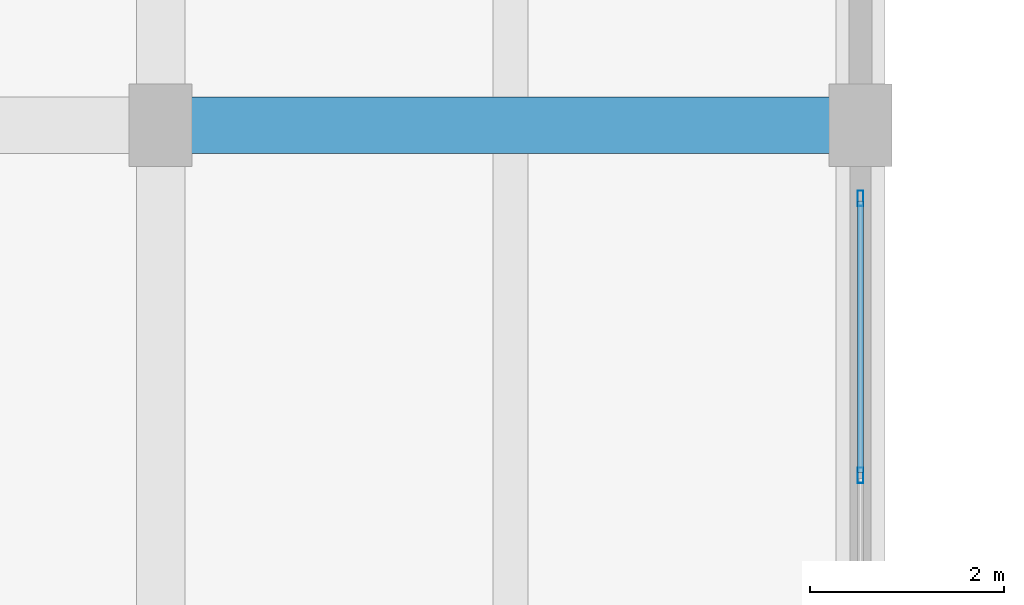
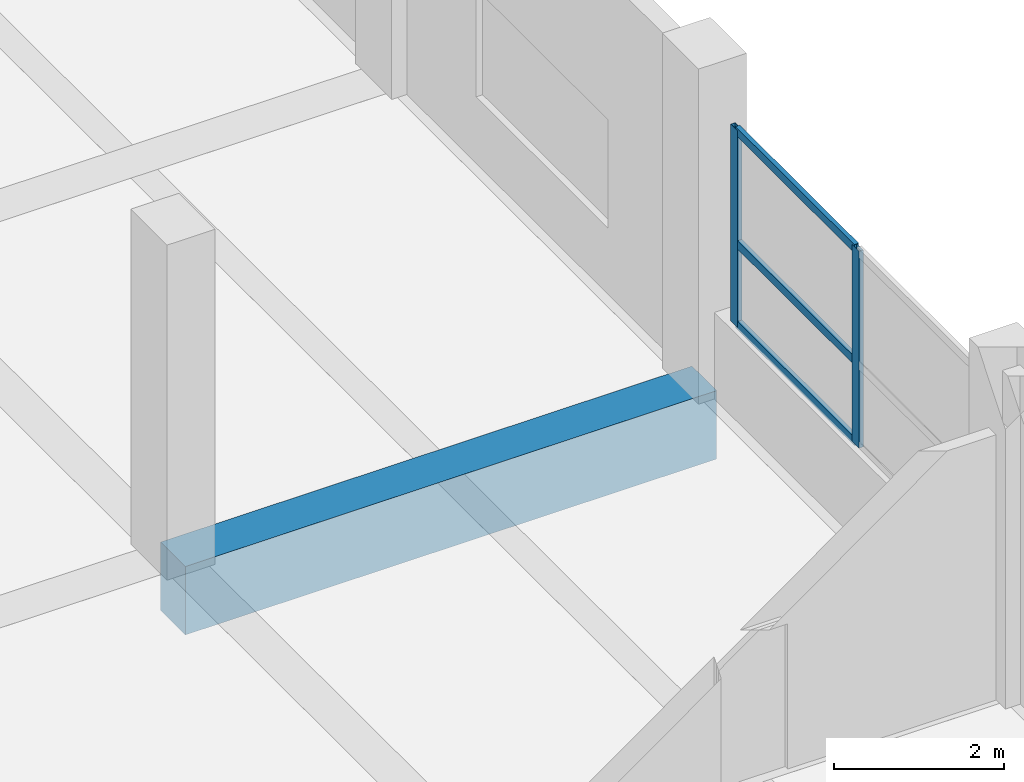
# One storey, part 135 of 181: 5 members, 1 beam, 1 element without a shape of its own.
"""IFC4 building model written with IfcOpenShell, lengths in metres."""

from ifc_helpers import new_model, si_unit, direction, frame, origin, origin_2d, place, context, subcontext, project, spatial, rectangle, hollow_rectangle, extrude, material, layer, layer_set, material_profile, profile_set, type_object, element, aggregate, save


model = new_model("IFC4")

# Units and contexts
model_context = context("Model", 3, precision=1e-05, world=origin(), true_north=direction((0.0, 1.0)))
body_context = subcontext(model_context, "Body", "Model", "MODEL_VIEW")
ifc_project = project(units=[si_unit("LENGTHUNIT", "METRE"), si_unit("AREAUNIT", "SQUARE_METRE"), si_unit("VOLUMEUNIT", "CUBIC_METRE"), si_unit("PLANEANGLEUNIT", "RADIAN"), si_unit("MASSUNIT", "GRAM", prefix="KILO")], contexts=[model_context])

# Site, building, storey
site_placement = place(None, origin())
site = spatial("IfcSite", under=ifc_project, at=site_placement, CompositionType="ELEMENT")
building_placement = place(site_placement, origin())
building = spatial("IfcBuilding", under=site, at=building_placement, Name="Seraya Terrace Polytechnic", CompositionType="ELEMENT")
storey_placement = place(building_placement, frame((0.0, 0.0, 4.800048828125)))
storey = spatial("IfcBuildingStorey", under=building, at=storey_placement, Name="L01", CompositionType="ELEMENT", Elevation=4.800048828125)

# Beam
ifc_material_1 = material(Name="Concrete C40/50", Category="concrete")
ifc_material_profile_1 = material_profile(ifc_material_1, rectangle(XDim=0.580078125, YDim=0.97998046875, at=origin_2d()), Name="RC 580x980")
ifc_profile_set_1 = profile_set([ifc_material_profile_1], Name="Concrete C40/50")
beam_type = type_object("IfcBeamType", Name="BM-02", PredefinedType="BEAM", material=ifc_profile_set_1)
beam_placement = place(storey_placement, frame((151.199951171875, 93.60009765625, -0.489990234375), z_axis=(1.0, 0.0, 0.0), x_axis=(0.0, 1.0, 0.0)))
element("IfcBeam", 1, at=beam_placement, inside=storey, type_object=beam_type, Name="Beam BM-02 L01 X (151.2..158.4, 93.6)", PredefinedType="BEAM", context=body_context, shape_type="SweptSolid", body=[
    extrude(rectangle(XDim=0.580078125, YDim=0.97998046875, at=origin_2d()), origin(), (0.0, 0.0, 1.0), 7.199951171875),
])

# Curtain wall, members
ifc_material_2 = material(Name="Anodised aluminium EN AW-6063 T6", Category="aluminium")
ifc_layer = layer(ifc_material_2, 0.179931640625, Name="CW-20")
ifc_layer_set = layer_set([ifc_layer], Name="Anodised aluminium EN AW-6063 T6")
curtain_wall_type = type_object("IfcCurtainWallType", Name="CW-20", PredefinedType="NOTDEFINED", material=ifc_layer_set)
curtain_wall_placement = place(storey_placement, origin())
curtain_wall = element("IfcCurtainWall", 2, at=curtain_wall_placement, inside=storey, type_object=curtain_wall_type, Name="Unitised curtain wall CW-20 (CW-L01-020)", PredefinedType="NOTDEFINED")
ifc_material_profile_2 = material_profile(ifc_material_2, hollow_rectangle(XDim=0.06005859375, YDim=0.159912109375, WallThickness=0.00341796875, at=origin_2d()), Name="RHS 160x60x3.5")
ifc_profile_set_2 = profile_set([ifc_material_profile_2], Name="Anodised aluminium EN AW-6063 T6")
member_type_1 = type_object("IfcMemberType", Name="CWM-02", PredefinedType="MULLION", material=ifc_profile_set_2)
member_1_placement = place(storey_placement, frame((158.39990234375, 92.85009765625, 1.239990234375), z_axis=(0.0, 0.0, 1.0), x_axis=(1.0, 0.0, 0.0)))
member_1 = element("IfcMember", 3, at=member_1_placement, type_object=member_type_1, Name="CW-20 mullion 1", PredefinedType="MULLION", context=body_context, shape_type="SweptSolid", body=[
    extrude(hollow_rectangle(XDim=0.06005859375, YDim=0.159912109375, WallThickness=0.00341796875, at=origin_2d()), origin(), (0.0, 0.0, 1.0), 2.820068359375),
])
member_2_placement = place(storey_placement, frame((158.39990234375, 90.0, 1.239990234375), z_axis=(0.0, 0.0, 1.0), x_axis=(1.0, 0.0, 0.0)))
member_2 = element("IfcMember", 4, at=member_2_placement, type_object=member_type_1, Name="CW-20 mullion 2", PredefinedType="MULLION", context=body_context, shape_type="SweptSolid", body=[
    extrude(hollow_rectangle(XDim=0.06005859375, YDim=0.159912109375, WallThickness=0.00341796875, at=origin_2d()), origin(), (0.0, 0.0, 1.0), 2.820068359375),
])
ifc_material_profile_3 = material_profile(ifc_material_2, hollow_rectangle(XDim=0.06005859375, YDim=0.1201171875, WallThickness=0.003173828125, at=origin_2d()), Name="RHS 120x60x3.2")
ifc_profile_set_3 = profile_set([ifc_material_profile_3], Name="Anodised aluminium EN AW-6063 T6")
member_type_2 = type_object("IfcMemberType", Name="CWT-02", PredefinedType="USERDEFINED", material=ifc_profile_set_3)
member_3_placement = place(storey_placement, frame((158.39990234375, 92.820068359375, 1.27001953125), z_axis=(0.0, -1.0, 0.0), x_axis=(1.0, 0.0, 0.0)))
member_3 = element("IfcMember", 5, at=member_3_placement, type_object=member_type_2, Name="CW-20 transom 1.1", ObjectType="TRANSOM", PredefinedType="USERDEFINED", context=body_context, shape_type="SweptSolid", body=[
    extrude(hollow_rectangle(XDim=0.06005859375, YDim=0.1201171875, WallThickness=0.003173828125, at=origin_2d()), origin(), (0.0, 0.0, 1.0), 2.7900390625),
])
member_4_placement = place(storey_placement, frame((158.39990234375, 92.820068359375, 2.42431640625), z_axis=(0.0, -1.0, 0.0), x_axis=(1.0, 0.0, 0.0)))
member_4 = element("IfcMember", 6, at=member_4_placement, type_object=member_type_2, Name="CW-20 transom 1.2", ObjectType="TRANSOM", PredefinedType="USERDEFINED", context=body_context, shape_type="SweptSolid", body=[
    extrude(hollow_rectangle(XDim=0.06005859375, YDim=0.1201171875, WallThickness=0.003173828125, at=origin_2d()), origin(), (0.0, 0.0, 1.0), 2.7900390625),
])
member_5_placement = place(storey_placement, frame((158.39990234375, 92.820068359375, 4.030029296875), z_axis=(0.0, -1.0, 0.0), x_axis=(1.0, 0.0, 0.0)))
member_5 = element("IfcMember", 7, at=member_5_placement, type_object=member_type_2, Name="CW-20 transom 1.3", ObjectType="TRANSOM", PredefinedType="USERDEFINED", context=body_context, shape_type="SweptSolid", body=[
    extrude(hollow_rectangle(XDim=0.06005859375, YDim=0.1201171875, WallThickness=0.003173828125, at=origin_2d()), origin(), (0.0, 0.0, 1.0), 2.7900390625),
])
aggregate(curtain_wall, [member_1, member_2, member_3, member_4, member_5])

save(model, "model.ifc")
